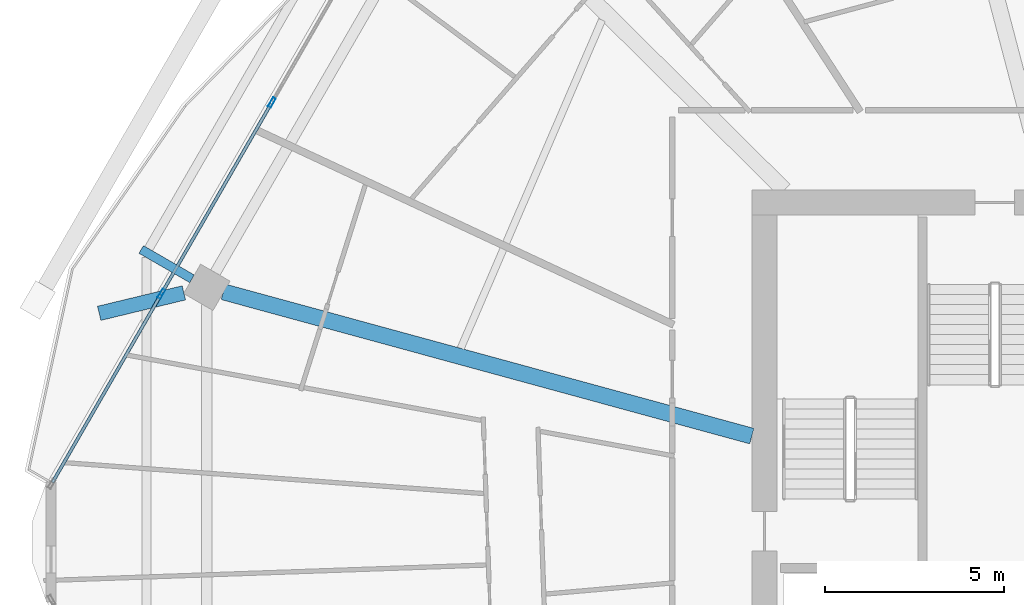
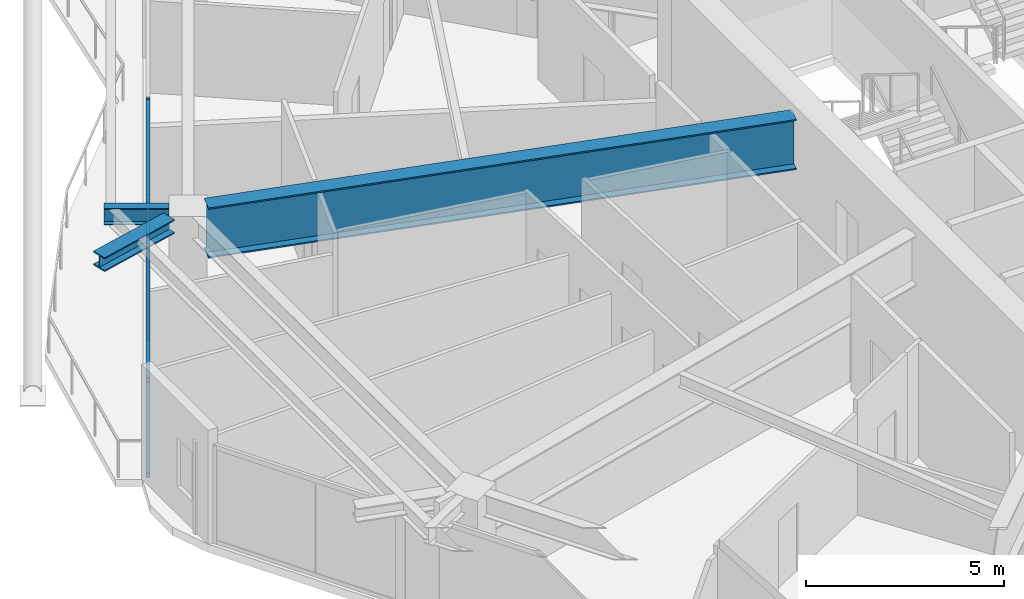
# One storey, part 12 of 28: 6 members, 3 beams, 1 element without a shape of its own.
"""IFC4 building model written with IfcOpenShell, lengths in metres."""

import ifcopenshell
import ifcopenshell.guid

model = None  # the IFC model being written
_history = None  # IfcOwnerHistory: only IFC2X3 demands one
_inside = {}  # id of a spatial element -> (the spatial element, [elements in it])
_under = {}  # id of a project, library or spatial element -> (it, [spatial elements below it])
_declared = {}  # id of a project -> (the project, [libraries it declares])
_typed = {}  # id of a type object -> (the type object, [elements of that type])
_made_of = {}  # id of a material, layer set ... -> (it, [elements and type objects made of it])


def new_model(schema):
    """Start an empty IFC model of exactly this schema.

    Asked for "IFC4X3", IfcOpenShell would pick the latest addendum, in which some entities
    have other attributes; the version numbers below select the first issue.
    IFC2X3 requires an IfcOwnerHistory on every rooted entity: one is made here for all.
    """
    global model, _history
    if schema == "IFC4X3":
        model = ifcopenshell.file(schema_version=(4, 3, 0, 0))
    else:
        model = ifcopenshell.file(schema=schema)
    _inside.clear()
    _under.clear()
    _declared.clear()
    _typed.clear()
    _made_of.clear()
    _history = None
    if model.schema == "IFC2X3":
        org = make("IfcOrganization", Name="unknown")
        user = make(
            "IfcPersonAndOrganization",
            ThePerson=make("IfcPerson", FamilyName="unknown"),
            TheOrganization=org,
        )
        app = make(
            "IfcApplication",
            ApplicationDeveloper=org,
            Version="unknown",
            ApplicationFullName="unknown",
            ApplicationIdentifier="unknown",
        )
        _history = make(
            "IfcOwnerHistory",
            OwningUser=user,
            OwningApplication=app,
            ChangeAction="ADDED",
            CreationDate=0,
        )
    return model


def make(cls, **values):
    """One entity of the class cls with the attributes given. An attribute that is None is left unset."""
    return model.create_entity(
        cls, **{name: value for name, value in values.items() if value is not None}
    )


def rooted(cls, **values):
    """An entity with a GlobalId (a new one), such as an element, a storey or a relation."""
    return make(cls, GlobalId=ifcopenshell.guid.new(), OwnerHistory=_history, **values)


def si_unit(unit_type, name, prefix=None):
    """IfcSIUnit, for example si_unit("LENGTHUNIT", "METRE", prefix="MILLI")."""
    return make("IfcSIUnit", UnitType=unit_type, Prefix=prefix, Name=name)


def assignment(units):
    """IfcUnitAssignment: the units of a project."""
    return None if units is None else make("IfcUnitAssignment", Units=units)


def point(xyz):
    """IfcCartesianPoint."""
    return None if xyz is None else make("IfcCartesianPoint", Coordinates=xyz)


def direction(xyz):
    """IfcDirection."""
    return None if xyz is None else make("IfcDirection", DirectionRatios=xyz)


def frame(location, z_axis=None, x_axis=None):
    """IfcAxis2Placement3D, a coordinate frame: its origin and axes. An axis left out is left unset."""
    return make(
        "IfcAxis2Placement3D",
        Location=point(location),
        Axis=direction(z_axis),
        RefDirection=direction(x_axis),
    )


def frame_2d(location, x_axis=None):
    """IfcAxis2Placement2D, a coordinate frame in the plane: its origin and x axis."""
    return make(
        "IfcAxis2Placement2D", Location=point(location), RefDirection=direction(x_axis)
    )


def origin():
    """The frame at (0, 0, 0) with its axes left unset."""
    return frame((0.0, 0.0, 0.0))


def origin_2d():
    """The frame at (0, 0) in the plane with its x axis left unset."""
    return frame_2d((0.0, 0.0))


def place(relative_to, where):
    """IfcLocalPlacement: puts the frame where relative to a parent placement (None: the world)."""
    return make(
        "IfcLocalPlacement", PlacementRelTo=relative_to, RelativePlacement=where
    )


def context(
    kind, dimensions, precision=None, world=None, true_north=None, identifier=None
):
    """IfcGeometricRepresentationContext, for example the 3D "Model" context."""
    return make(
        "IfcGeometricRepresentationContext",
        ContextIdentifier=identifier,
        ContextType=kind,
        CoordinateSpaceDimension=dimensions,
        Precision=precision,
        WorldCoordinateSystem=world,
        TrueNorth=true_north,
    )


def subcontext(parent, identifier, kind, view, scale=None):
    """IfcGeometricRepresentationSubContext, for example "Body" below "Model"."""
    return make(
        "IfcGeometricRepresentationSubContext",
        ContextIdentifier=identifier,
        ContextType=kind,
        ParentContext=parent,
        TargetScale=scale,
        TargetView=view,
    )


def project(units=None, contexts=None):
    """IfcProject with its units and contexts."""
    return rooted(
        "IfcProject",
        Name="project",
        RepresentationContexts=contexts,
        UnitsInContext=assignment(units),
    )


def spatial(cls, under=None, at=None, **own):
    """A site, building, storey or space (cls), placed at a placement, below another one or the project."""
    s = rooted(cls, ObjectPlacement=at, **own)
    if under is not None:
        _under.setdefault(under.id(), (under, []))[1].append(s)
    return s


def profile(cls, at=None, kind="AREA", **sizes):
    """A parametric profile (cls). Its sizes go by their IFC names, for example OverallWidth=200.0."""
    return make(cls, ProfileType=kind, Position=at, **sizes)


def hollow_rectangle(**sizes):
    """IfcRectangleHollowProfileDef."""
    return profile("IfcRectangleHollowProfileDef", **sizes)


def i_section(**sizes):
    """IfcIShapeProfileDef."""
    return profile("IfcIShapeProfileDef", **sizes)


def extrude(swept, where, along, depth):
    """IfcExtrudedAreaSolid: the profile swept, set in the frame where, extruded along a direction by depth."""
    return make(
        "IfcExtrudedAreaSolid",
        SweptArea=swept,
        Position=where,
        ExtrudedDirection=direction(along),
        Depth=depth,
    )


def shape(context_of_items, identifier, shape_type, items):
    """IfcShapeRepresentation: the items that make up one representation, for example the "Body"."""
    return make(
        "IfcShapeRepresentation",
        ContextOfItems=context_of_items,
        RepresentationIdentifier=identifier,
        RepresentationType=shape_type,
        Items=items,
    )


def material(Name=None, Category=None):
    """IfcMaterial."""
    return make("IfcMaterial", Name=Name, Category=Category)


def material_profile(
    of_material, cross_section, Name=None, Category=None, Priority=None
):
    """IfcMaterialProfile: a cross section and its material."""
    return make(
        "IfcMaterialProfile",
        Name=Name,
        Material=of_material,
        Profile=cross_section,
        Priority=Priority,
        Category=Category,
    )


def profile_set(profiles, Name=None, composite=None):
    """IfcMaterialProfileSet."""
    return make(
        "IfcMaterialProfileSet",
        Name=Name,
        MaterialProfiles=profiles,
        CompositeProfile=composite,
    )


def made_of(thing, what):
    """Note that an element or type object is made of a material, layer set ...; save() writes the relation."""
    if what is not None:
        _made_of.setdefault(what.id(), (what, []))[1].append(thing)
    return thing


def type_object(cls, material=None, **own):
    """A type object (cls), such as IfcWallType, which elements share."""
    return made_of(rooted(cls, **own), material)


def element(
    cls,
    number,
    at=None,
    inside=None,
    cuts=None,
    type_object=None,
    material=None,
    context=None,
    identifier="Body",
    shape_type=None,
    held_by="IfcProductDefinitionShape",
    body=None,
    shapes=None,
    **own,
):
    """One element of the class cls, such as IfcWall. Its Tag is "e" and its number.

    at: its placement. inside: the storey or other place that contains it. cuts: it is an
    opening in that element (IfcRelVoidsElement). A single representation is given by context,
    identifier, shape_type and body (its items); several are given by shapes. held_by: the class
    of the entity that holds the representations. save() writes the other relations.
    """
    e = rooted(cls, Tag="e%d" % number, ObjectPlacement=at, **own)
    if body is not None:
        shapes = [shape(context, identifier, shape_type, body)]
    if shapes is not None:
        e.Representation = make(held_by, Representations=shapes)
    if inside is not None:
        _inside.setdefault(inside.id(), (inside, []))[1].append(e)
    if cuts is not None:
        rooted(
            "IfcRelVoidsElement", RelatingBuildingElement=cuts, RelatedOpeningElement=e
        )
    if type_object is not None:
        _typed.setdefault(type_object.id(), (type_object, []))[1].append(e)
    return made_of(e, material)


def aggregate(whole, parts):
    """IfcRelAggregates: a whole, such as a stair, and the parts it consists of."""
    return rooted("IfcRelAggregates", RelatingObject=whole, RelatedObjects=parts)


def save(model, path):
    """Write the relations noted so far, then the file.

    IfcRelAggregates (storeys below a building ...), IfcRelContainedInSpatialStructure (elements
    in a storey), IfcRelDefinesByType, IfcRelAssociatesMaterial and IfcRelDeclares: one each for
    every whole, place, type object, material and project.
    """
    for whole, parts in _under.values():
        aggregate(whole, parts)
    for where, things in _inside.values():
        rooted(
            "IfcRelContainedInSpatialStructure",
            RelatedElements=things,
            RelatingStructure=where,
        )
    for kind, things in _typed.values():
        rooted("IfcRelDefinesByType", RelatedObjects=things, RelatingType=kind)
    for what, things in _made_of.values():
        rooted("IfcRelAssociatesMaterial", RelatedObjects=things, RelatingMaterial=what)
    for by, libraries in _declared.values():
        rooted("IfcRelDeclares", RelatingContext=by, RelatedDefinitions=libraries)
    model.write(path)


model = new_model("IFC4")

# Units and contexts
model_context = context("Model", 3, precision=1e-05, world=origin(), true_north=direction((0.0, 1.0)))
body_context = subcontext(model_context, "Body", "Model", "MODEL_VIEW")
ifc_project = project(units=[si_unit("LENGTHUNIT", "METRE"), si_unit("AREAUNIT", "SQUARE_METRE"), si_unit("VOLUMEUNIT", "CUBIC_METRE"), si_unit("PLANEANGLEUNIT", "RADIAN"), si_unit("MASSUNIT", "GRAM", prefix="KILO")], contexts=[model_context])

# Site, building, storey
site_placement = place(None, origin())
site = spatial("IfcSite", under=ifc_project, at=site_placement, CompositionType="ELEMENT")
building_placement = place(site_placement, origin())
building = spatial("IfcBuilding", under=site, at=building_placement, Name="Zuhravey Tower", CompositionType="ELEMENT")
storey_placement = place(building_placement, frame((0.0, 0.0, 222.60009765625)))
storey = spatial("IfcBuildingStorey", under=building, at=storey_placement, Name="L56", CompositionType="ELEMENT", Elevation=222.60009765625)

# Curtain wall, members
ifc_material_1 = material(Name="Thermally broken anodised aluminium", Category="aluminium")
curtain_wall_type = type_object("IfcCurtainWallType", Name="Zone 1-2 Residential Curtain Wall CW3", PredefinedType="NOTDEFINED", material=ifc_material_1)
curtain_wall_placement = place(storey_placement, origin())
curtain_wall = element("IfcCurtainWall", 1, at=curtain_wall_placement, inside=storey, type_object=curtain_wall_type, Name="L56 CW3 CW-L56-F3-1", PredefinedType="NOTDEFINED")
ifc_material_2 = material(Name="Anodised aluminium", Category="aluminium")
ifc_material_profile_1 = material_profile(ifc_material_2, hollow_rectangle(XDim=0.090087890625, YDim=0.284912109375, WallThickness=0.0048828125, at=origin_2d()), Name="ALU-RHS-90x285x5")
ifc_profile_set_1 = profile_set([ifc_material_profile_1], Name="Anodised aluminium")
member_type_1 = type_object("IfcMemberType", Name="Curtain-Wall Mullion 90x180", PredefinedType="MULLION", material=ifc_profile_set_1)
member_1_placement = place(storey_placement, frame((8.621337890625, 38.94482421875, 0.0), z_axis=(0.0, 0.0, 1.0), x_axis=(-0.866025772241, 0.499999361815, 0.0)))
member_1 = element("IfcMember", 2, at=member_1_placement, type_object=member_type_1, Name="CW3 mullion 2", PredefinedType="MULLION", context=body_context, shape_type="SweptSolid", body=[
    extrude(hollow_rectangle(XDim=0.090087890625, YDim=0.284912109375, WallThickness=0.0048828125, at=origin_2d()), origin(), (0.0, 0.0, 1.0), 3.02001953125),
])
member_2_placement = place(storey_placement, frame((11.71435546875, 44.302001953125, 0.0), z_axis=(0.0, 0.0, 1.0), x_axis=(-0.866025772241, 0.499999361815, 0.0)))
member_2 = element("IfcMember", 3, at=member_2_placement, type_object=member_type_1, Name="CW3 mullion 3", PredefinedType="MULLION", context=body_context, shape_type="SweptSolid", body=[
    extrude(hollow_rectangle(XDim=0.090087890625, YDim=0.284912109375, WallThickness=0.0048828125, at=origin_2d()), origin(), (0.0, 0.0, 1.0), 3.02001953125),
])
ifc_material_profile_2 = material_profile(ifc_material_2, hollow_rectangle(XDim=0.090087890625, YDim=0.14990234375, WallThickness=0.0048828125, at=origin_2d()), Name="ALU-RHS-90x150x5")
ifc_profile_set_2 = profile_set([ifc_material_profile_2], Name="Anodised aluminium")
member_type_2 = type_object("IfcMemberType", Name="Curtain-Wall Transom 90x150", PredefinedType="USERDEFINED", material=ifc_profile_set_2)
member_3_placement = place(storey_placement, frame((5.5732421875, 33.66552734375, 0.044921875), z_axis=(0.49999255039, 0.866029704776, 0.0), x_axis=(-0.866029704776, 0.49999255039, 0.0)))
member_3 = element("IfcMember", 4, at=member_3_placement, type_object=member_type_2, Name="CW3 transom 1.1", ObjectType="TRANSOM", PredefinedType="USERDEFINED", context=body_context, shape_type="SweptSolid", body=[
    extrude(hollow_rectangle(XDim=0.090087890625, YDim=0.14990234375, WallThickness=0.0048828125, at=origin_2d()), origin(), (0.0, 0.0, 1.0), 6.05078125),
])
member_4_placement = place(storey_placement, frame((5.5732421875, 33.66552734375, 2.974853515625), z_axis=(0.49999255039, 0.866029704776, 0.0), x_axis=(-0.866029704776, 0.49999255039, 0.0)))
member_4 = element("IfcMember", 5, at=member_4_placement, type_object=member_type_2, Name="CW3 transom 1.2", ObjectType="TRANSOM", PredefinedType="USERDEFINED", context=body_context, shape_type="SweptSolid", body=[
    extrude(hollow_rectangle(XDim=0.090087890625, YDim=0.14990234375, WallThickness=0.0048828125, at=origin_2d()), origin(), (0.0, 0.0, 1.0), 6.05078125),
])
member_5_placement = place(storey_placement, frame((8.643798828125, 38.98388671875, 0.044921875), z_axis=(0.49998131003, 0.866036194175, 0.0), x_axis=(-0.866036194175, 0.49998131003, 0.0)))
member_5 = element("IfcMember", 6, at=member_5_placement, type_object=member_type_2, Name="CW3 transom 2.1", ObjectType="TRANSOM", PredefinedType="USERDEFINED", context=body_context, shape_type="SweptSolid", body=[
    extrude(hollow_rectangle(XDim=0.090087890625, YDim=0.14990234375, WallThickness=0.0048828125, at=origin_2d()), origin(), (0.0, 0.0, 1.0), 6.095947265625),
])
member_6_placement = place(storey_placement, frame((8.643798828125, 38.98388671875, 2.974853515625), z_axis=(0.49998131003, 0.866036194175, 0.0), x_axis=(-0.866036194175, 0.49998131003, 0.0)))
member_6 = element("IfcMember", 7, at=member_6_placement, type_object=member_type_2, Name="CW3 transom 2.2", ObjectType="TRANSOM", PredefinedType="USERDEFINED", context=body_context, shape_type="SweptSolid", body=[
    extrude(hollow_rectangle(XDim=0.090087890625, YDim=0.14990234375, WallThickness=0.0048828125, at=origin_2d()), origin(), (0.0, 0.0, 1.0), 6.095947265625),
])
aggregate(curtain_wall, [member_1, member_2, member_3, member_4, member_5, member_6])

# Beams
ifc_material_3 = material(Name="Steel SM460", Category="steel")
ifc_material_profile_3 = material_profile(ifc_material_3, i_section(OverallWidth=0.406982421875, OverallDepth=0.427978515625, WebThickness=0.02001953125, FlangeThickness=0.034912109375, at=origin_2d()), Name="H-428x407x20x35")
ifc_profile_set_3 = profile_set([ifc_material_profile_3], Name="Steel SM460")
beam_type_1 = type_object("IfcBeamType", Name="Exoskeleton Node Tie Beam H428x407", PredefinedType="BEAM", material=ifc_profile_set_3)
beam_1_placement = place(storey_placement, frame((9.2509765625, 38.971435546875, 3.305908203125), z_axis=(-0.972014463962, -0.234921011937, 0.0), x_axis=(0.234921011937, -0.972014463962, 0.0)))
element("IfcBeam", 8, at=beam_1_placement, inside=storey, type_object=beam_type_1, Name="L56 Exoskeleton Node Tie NT1-06", PredefinedType="BEAM", context=body_context, shape_type="SweptSolid", body=[
    extrude(i_section(OverallWidth=0.406982421875, OverallDepth=0.427978515625, WebThickness=0.02001953125, FlangeThickness=0.034912109375, at=origin_2d()), origin(), (0.0, 0.0, 1.0), 2.439208984375),
])
ifc_material_profile_4 = material_profile(ifc_material_3, i_section(OverallWidth=0.449951171875, OverallDepth=1.550048828125, WebThickness=0.02587890625, FlangeThickness=0.0419921875, at=origin_2d()), Name="H-1550x450x26x42")
ifc_profile_set_4 = profile_set([ifc_material_profile_4], Name="Steel SM460")
beam_type_2 = type_object("IfcBeamType", Name="Heavy Setback Transfer Girder H1550x450", PredefinedType="BEAM", material=ifc_profile_set_4)
beam_2_placement = place(storey_placement, frame((25.14697265625, 34.96240234375, 2.744873046875), z_axis=(-0.964701703464, 0.263345065139, 0.0), x_axis=(-0.263345065139, -0.964701703464, 0.0)))
element("IfcBeam", 9, at=beam_2_placement, inside=storey, type_object=beam_type_2, Name="L56 TG3 BM-L56-RAD-06", PredefinedType="BEAM", context=body_context, shape_type="SweptSolid", body=[
    extrude(i_section(OverallWidth=0.449951171875, OverallDepth=1.550048828125, WebThickness=0.02587890625, FlangeThickness=0.0419921875, at=origin_2d()), origin(), (0.0, 0.0, 1.0), 15.334716796875),
])
ifc_material_4 = material(Name="Steel SM355", Category="steel")
ifc_material_profile_5 = material_profile(ifc_material_4, i_section(OverallWidth=0.25, OverallDepth=0.5, WebThickness=0.010009765625, FlangeThickness=0.01611328125, at=origin_2d()), Name="H-500x250x10x16")
ifc_profile_set_5 = profile_set([ifc_material_profile_5], Name="Steel SM355")
beam_type_3 = type_object("IfcBeamType", Name="Tray Cantilever Spandrel H500x250", PredefinedType="SPANDREL", material=ifc_profile_set_5)
beam_3_placement = place(storey_placement, frame((9.4775390625, 39.365966796875, 3.27001953125), z_axis=(-0.866009679343, 0.500027234542, 0.0), x_axis=(-0.500027234542, -0.866009679343, 0.0)))
element("IfcBeam", 10, at=beam_3_placement, inside=storey, type_object=beam_type_3, Name="L56 Sky-Tray Cantilever Arm TSB1-R06", PredefinedType="SPANDREL", context=body_context, shape_type="SweptSolid", body=[
    extrude(i_section(OverallWidth=0.25, OverallDepth=0.5, WebThickness=0.010009765625, FlangeThickness=0.01611328125, at=origin_2d()), origin(), (0.0, 0.0, 1.0), 1.64111328125),
])

save(model, "model.ifc")
